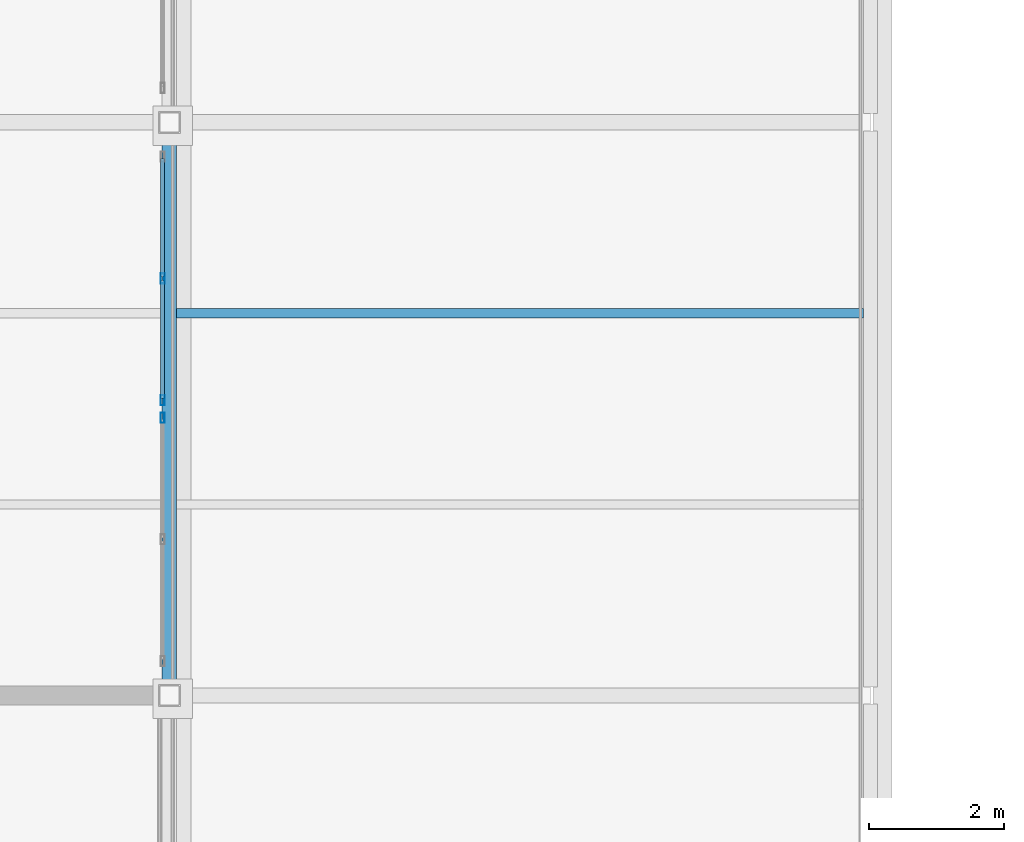
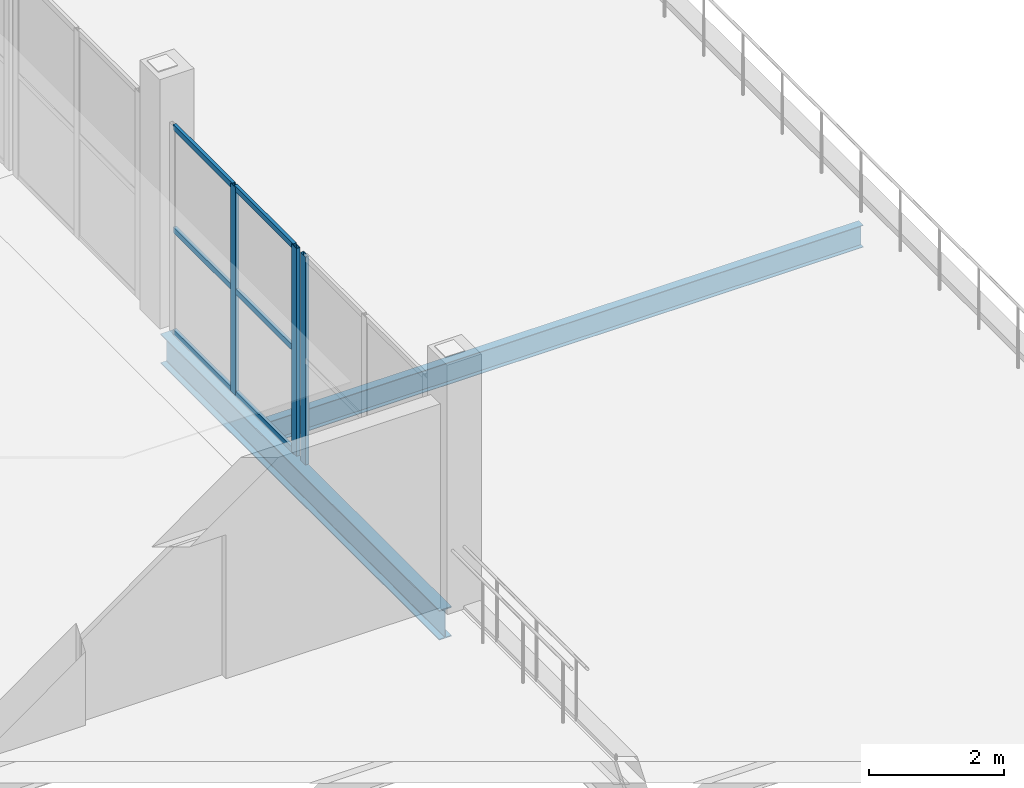
# One storey, part 63 of 156: 9 members, 2 beams, 2 elements without a shape of their own.
"""IFC4 building model written with IfcOpenShell, lengths in metres."""

import ifcopenshell
import ifcopenshell.guid

model = None  # the IFC model being written
_history = None  # IfcOwnerHistory: only IFC2X3 demands one
_inside = {}  # id of a spatial element -> (the spatial element, [elements in it])
_under = {}  # id of a project, library or spatial element -> (it, [spatial elements below it])
_declared = {}  # id of a project -> (the project, [libraries it declares])
_typed = {}  # id of a type object -> (the type object, [elements of that type])
_made_of = {}  # id of a material, layer set ... -> (it, [elements and type objects made of it])


def new_model(schema):
    """Start an empty IFC model of exactly this schema.

    Asked for "IFC4X3", IfcOpenShell would pick the latest addendum, in which some entities
    have other attributes; the version numbers below select the first issue.
    IFC2X3 requires an IfcOwnerHistory on every rooted entity: one is made here for all.
    """
    global model, _history
    if schema == "IFC4X3":
        model = ifcopenshell.file(schema_version=(4, 3, 0, 0))
    else:
        model = ifcopenshell.file(schema=schema)
    _inside.clear()
    _under.clear()
    _declared.clear()
    _typed.clear()
    _made_of.clear()
    _history = None
    if model.schema == "IFC2X3":
        org = make("IfcOrganization", Name="unknown")
        user = make(
            "IfcPersonAndOrganization",
            ThePerson=make("IfcPerson", FamilyName="unknown"),
            TheOrganization=org,
        )
        app = make(
            "IfcApplication",
            ApplicationDeveloper=org,
            Version="unknown",
            ApplicationFullName="unknown",
            ApplicationIdentifier="unknown",
        )
        _history = make(
            "IfcOwnerHistory",
            OwningUser=user,
            OwningApplication=app,
            ChangeAction="ADDED",
            CreationDate=0,
        )
    return model


def make(cls, **values):
    """One entity of the class cls with the attributes given. An attribute that is None is left unset."""
    return model.create_entity(
        cls, **{name: value for name, value in values.items() if value is not None}
    )


def rooted(cls, **values):
    """An entity with a GlobalId (a new one), such as an element, a storey or a relation."""
    return make(cls, GlobalId=ifcopenshell.guid.new(), OwnerHistory=_history, **values)


def si_unit(unit_type, name, prefix=None):
    """IfcSIUnit, for example si_unit("LENGTHUNIT", "METRE", prefix="MILLI")."""
    return make("IfcSIUnit", UnitType=unit_type, Prefix=prefix, Name=name)


def assignment(units):
    """IfcUnitAssignment: the units of a project."""
    return None if units is None else make("IfcUnitAssignment", Units=units)


def point(xyz):
    """IfcCartesianPoint."""
    return None if xyz is None else make("IfcCartesianPoint", Coordinates=xyz)


def direction(xyz):
    """IfcDirection."""
    return None if xyz is None else make("IfcDirection", DirectionRatios=xyz)


def frame(location, z_axis=None, x_axis=None):
    """IfcAxis2Placement3D, a coordinate frame: its origin and axes. An axis left out is left unset."""
    return make(
        "IfcAxis2Placement3D",
        Location=point(location),
        Axis=direction(z_axis),
        RefDirection=direction(x_axis),
    )


def frame_2d(location, x_axis=None):
    """IfcAxis2Placement2D, a coordinate frame in the plane: its origin and x axis."""
    return make(
        "IfcAxis2Placement2D", Location=point(location), RefDirection=direction(x_axis)
    )


def origin():
    """The frame at (0, 0, 0) with its axes left unset."""
    return frame((0.0, 0.0, 0.0))


def origin_2d():
    """The frame at (0, 0) in the plane with its x axis left unset."""
    return frame_2d((0.0, 0.0))


def place(relative_to, where):
    """IfcLocalPlacement: puts the frame where relative to a parent placement (None: the world)."""
    return make(
        "IfcLocalPlacement", PlacementRelTo=relative_to, RelativePlacement=where
    )


def context(
    kind, dimensions, precision=None, world=None, true_north=None, identifier=None
):
    """IfcGeometricRepresentationContext, for example the 3D "Model" context."""
    return make(
        "IfcGeometricRepresentationContext",
        ContextIdentifier=identifier,
        ContextType=kind,
        CoordinateSpaceDimension=dimensions,
        Precision=precision,
        WorldCoordinateSystem=world,
        TrueNorth=true_north,
    )


def subcontext(parent, identifier, kind, view, scale=None):
    """IfcGeometricRepresentationSubContext, for example "Body" below "Model"."""
    return make(
        "IfcGeometricRepresentationSubContext",
        ContextIdentifier=identifier,
        ContextType=kind,
        ParentContext=parent,
        TargetScale=scale,
        TargetView=view,
    )


def project(units=None, contexts=None):
    """IfcProject with its units and contexts."""
    return rooted(
        "IfcProject",
        Name="project",
        RepresentationContexts=contexts,
        UnitsInContext=assignment(units),
    )


def spatial(cls, under=None, at=None, **own):
    """A site, building, storey or space (cls), placed at a placement, below another one or the project."""
    s = rooted(cls, ObjectPlacement=at, **own)
    if under is not None:
        _under.setdefault(under.id(), (under, []))[1].append(s)
    return s


def profile(cls, at=None, kind="AREA", **sizes):
    """A parametric profile (cls). Its sizes go by their IFC names, for example OverallWidth=200.0."""
    return make(cls, ProfileType=kind, Position=at, **sizes)


def hollow_rectangle(**sizes):
    """IfcRectangleHollowProfileDef."""
    return profile("IfcRectangleHollowProfileDef", **sizes)


def i_section(**sizes):
    """IfcIShapeProfileDef."""
    return profile("IfcIShapeProfileDef", **sizes)


def extrude(swept, where, along, depth):
    """IfcExtrudedAreaSolid: the profile swept, set in the frame where, extruded along a direction by depth."""
    return make(
        "IfcExtrudedAreaSolid",
        SweptArea=swept,
        Position=where,
        ExtrudedDirection=direction(along),
        Depth=depth,
    )


def shape(context_of_items, identifier, shape_type, items):
    """IfcShapeRepresentation: the items that make up one representation, for example the "Body"."""
    return make(
        "IfcShapeRepresentation",
        ContextOfItems=context_of_items,
        RepresentationIdentifier=identifier,
        RepresentationType=shape_type,
        Items=items,
    )


def material(Name=None, Category=None):
    """IfcMaterial."""
    return make("IfcMaterial", Name=Name, Category=Category)


def material_profile(
    of_material, cross_section, Name=None, Category=None, Priority=None
):
    """IfcMaterialProfile: a cross section and its material."""
    return make(
        "IfcMaterialProfile",
        Name=Name,
        Material=of_material,
        Profile=cross_section,
        Priority=Priority,
        Category=Category,
    )


def profile_set(profiles, Name=None, composite=None):
    """IfcMaterialProfileSet."""
    return make(
        "IfcMaterialProfileSet",
        Name=Name,
        MaterialProfiles=profiles,
        CompositeProfile=composite,
    )


def made_of(thing, what):
    """Note that an element or type object is made of a material, layer set ...; save() writes the relation."""
    if what is not None:
        _made_of.setdefault(what.id(), (what, []))[1].append(thing)
    return thing


def type_object(cls, material=None, **own):
    """A type object (cls), such as IfcWallType, which elements share."""
    return made_of(rooted(cls, **own), material)


def element(
    cls,
    number,
    at=None,
    inside=None,
    cuts=None,
    type_object=None,
    material=None,
    context=None,
    identifier="Body",
    shape_type=None,
    held_by="IfcProductDefinitionShape",
    body=None,
    shapes=None,
    **own,
):
    """One element of the class cls, such as IfcWall. Its Tag is "e" and its number.

    at: its placement. inside: the storey or other place that contains it. cuts: it is an
    opening in that element (IfcRelVoidsElement). A single representation is given by context,
    identifier, shape_type and body (its items); several are given by shapes. held_by: the class
    of the entity that holds the representations. save() writes the other relations.
    """
    e = rooted(cls, Tag="e%d" % number, ObjectPlacement=at, **own)
    if body is not None:
        shapes = [shape(context, identifier, shape_type, body)]
    if shapes is not None:
        e.Representation = make(held_by, Representations=shapes)
    if inside is not None:
        _inside.setdefault(inside.id(), (inside, []))[1].append(e)
    if cuts is not None:
        rooted(
            "IfcRelVoidsElement", RelatingBuildingElement=cuts, RelatedOpeningElement=e
        )
    if type_object is not None:
        _typed.setdefault(type_object.id(), (type_object, []))[1].append(e)
    return made_of(e, material)


def aggregate(whole, parts):
    """IfcRelAggregates: a whole, such as a stair, and the parts it consists of."""
    return rooted("IfcRelAggregates", RelatingObject=whole, RelatedObjects=parts)


def save(model, path):
    """Write the relations noted so far, then the file.

    IfcRelAggregates (storeys below a building ...), IfcRelContainedInSpatialStructure (elements
    in a storey), IfcRelDefinesByType, IfcRelAssociatesMaterial and IfcRelDeclares: one each for
    every whole, place, type object, material and project.
    """
    for whole, parts in _under.values():
        aggregate(whole, parts)
    for where, things in _inside.values():
        rooted(
            "IfcRelContainedInSpatialStructure",
            RelatedElements=things,
            RelatingStructure=where,
        )
    for kind, things in _typed.values():
        rooted("IfcRelDefinesByType", RelatedObjects=things, RelatingType=kind)
    for what, things in _made_of.values():
        rooted("IfcRelAssociatesMaterial", RelatedObjects=things, RelatingMaterial=what)
    for by, libraries in _declared.values():
        rooted("IfcRelDeclares", RelatingContext=by, RelatedDefinitions=libraries)
    model.write(path)


model = new_model("IFC4")

# Units and contexts
model_context = context("Model", 3, precision=1e-05, world=origin(), true_north=direction((0.0, 1.0)))
body_context = subcontext(model_context, "Body", "Model", "MODEL_VIEW")
ifc_project = project(units=[si_unit("LENGTHUNIT", "METRE"), si_unit("AREAUNIT", "SQUARE_METRE"), si_unit("VOLUMEUNIT", "CUBIC_METRE"), si_unit("PLANEANGLEUNIT", "RADIAN"), si_unit("MASSUNIT", "GRAM", prefix="KILO")], contexts=[model_context])

# Site, building, storey
site_placement = place(None, origin())
site = spatial("IfcSite", under=ifc_project, at=site_placement, CompositionType="ELEMENT")
building_placement = place(site_placement, origin())
building = spatial("IfcBuilding", under=site, at=building_placement, Name="Caurita Quay Ferry Terminal", CompositionType="ELEMENT")
storey_placement = place(building_placement, frame((0.0, 0.0, 5.39990234375)))
storey = spatial("IfcBuildingStorey", under=building, at=storey_placement, Name="L01", CompositionType="ELEMENT", Elevation=5.39990234375)

# Beams
ifc_material_1 = material(Name="Structural steel ASTM A992 Gr. 50", Category="steel")
ifc_material_profile_1 = material_profile(ifc_material_1, i_section(OverallWidth=0.210693359375, OverallDepth=0.53857421875, WebThickness=0.01171875, FlangeThickness=0.018798828125, FilletRadius=0.013916015625, at=origin_2d()), Name="W21X73")
ifc_profile_set_1 = profile_set([ifc_material_profile_1], Name="Structural steel ASTM A992 Gr. 50")
beam_type_1 = type_object("IfcBeamType", Name="BM-GR-W21A", PredefinedType="BEAM", material=ifc_profile_set_1)
beam_1_placement = place(storey_placement, frame((142.800048828125, 8.62939453125, -0.529296875), z_axis=(0.0, 1.0, 0.0), x_axis=(-1.0, 0.0, 0.0)))
element("IfcBeam", 1, at=beam_1_placement, inside=storey, type_object=beam_type_1, Name="L01 Beam BM-V3P-L01-Y-1428-86", PredefinedType="BEAM", context=body_context, shape_type="SweptSolid", body=[
    extrude(i_section(OverallWidth=0.210693359375, OverallDepth=0.53857421875, WebThickness=0.01171875, FlangeThickness=0.018798828125, FilletRadius=0.013916015625, at=origin_2d()), origin(), (0.0, 0.0, 1.0), 8.2412109375),
])
ifc_material_profile_2 = material_profile(ifc_material_1, i_section(OverallWidth=0.139892578125, OverallDepth=0.39892578125, WebThickness=0.00634765625, FlangeThickness=0.0087890625, at=origin_2d()), Name="W16X26")
ifc_profile_set_2 = profile_set([ifc_material_profile_2], Name="Structural steel ASTM A992 Gr. 50")
beam_type_2 = type_object("IfcBeamType", Name="BM-JS-W16C", PredefinedType="JOIST", material=ifc_profile_set_2)
beam_2_placement = place(storey_placement, frame((142.905517578125, 14.166748046875, -0.45947265625), z_axis=(1.0, 0.0, 0.0), x_axis=(0.0, 1.0, 0.0)))
element("IfcBeam", 2, at=beam_2_placement, inside=storey, type_object=beam_type_2, Name="L01 Beam JS-V3P-L01-012", PredefinedType="JOIST", context=body_context, shape_type="SweptSolid", body=[
    extrude(i_section(OverallWidth=0.139892578125, OverallDepth=0.39892578125, WebThickness=0.00634765625, FlangeThickness=0.0087890625, at=origin_2d()), origin(), (0.0, 0.0, 1.0), 10.18896484375),
])

# Curtain wall, member
ifc_material_2 = material(Name="Laminated solar-control insulated glass", Category="glass")
curtain_wall_type = type_object("IfcCurtainWallType", Name="CW-SYS-15", PredefinedType="NOTDEFINED", material=ifc_material_2)
curtain_wall_1_placement = place(storey_placement, origin())
curtain_wall_1 = element("IfcCurtainWall", 3, at=curtain_wall_1_placement, inside=storey, type_object=curtain_wall_type, Name="Boarding Gangway Ribbon Curtain Wall 119", PredefinedType="NOTDEFINED")
ifc_material_3 = material(Name="Anodized aluminium 6063-T6", Category="aluminium")
ifc_material_profile_3 = material_profile(ifc_material_3, hollow_rectangle(XDim=0.06005859375, YDim=0.14990234375, WallThickness=0.00341796875, at=origin_2d()), Name="ALU-MUL-60X150")
ifc_profile_set_3 = profile_set([ifc_material_profile_3], Name="Anodized aluminium 6063-T6")
member_type_1 = type_object("IfcMemberType", Name="CW-MUL-150", PredefinedType="MULLION", material=ifc_profile_set_3)
member_1_placement = place(storey_placement, frame((142.699951171875, 12.6201171875, 0.0), z_axis=(0.0, 0.0, 1.0), x_axis=(-1.0, 0.0, 0.0)))
member_1 = element("IfcMember", 4, at=member_1_placement, type_object=member_type_1, Name="CW-BGW-119 Mullion 3", PredefinedType="MULLION", context=body_context, shape_type="SweptSolid", body=[
    extrude(hollow_rectangle(XDim=0.06005859375, YDim=0.14990234375, WallThickness=0.00341796875, at=origin_2d()), origin(), (0.0, 0.0, 1.0), 3.75),
])
aggregate(curtain_wall_1, [member_1])

# Curtain wall, members
curtain_wall_2_placement = place(storey_placement, origin())
curtain_wall_2 = element("IfcCurtainWall", 5, at=curtain_wall_2_placement, inside=storey, type_object=curtain_wall_type, Name="Boarding Gangway Ribbon Curtain Wall 120", PredefinedType="NOTDEFINED")
member_2_placement = place(storey_placement, frame((142.699951171875, 12.8798828125, 0.0), z_axis=(0.0, 0.0, 1.0), x_axis=(-1.0, 0.0, 0.0)))
member_2 = element("IfcMember", 6, at=member_2_placement, type_object=member_type_1, Name="CW-BGW-120 Mullion 1", PredefinedType="MULLION", context=body_context, shape_type="SweptSolid", body=[
    extrude(hollow_rectangle(XDim=0.06005859375, YDim=0.14990234375, WallThickness=0.00341796875, at=origin_2d()), origin(), (0.0, 0.0, 1.0), 3.75),
])
member_3_placement = place(storey_placement, frame((142.699951171875, 14.68505859375, 0.0), z_axis=(0.0, 0.0, 1.0), x_axis=(-1.0, 0.0, 0.0)))
member_3 = element("IfcMember", 7, at=member_3_placement, type_object=member_type_1, Name="CW-BGW-120 Mullion 2", PredefinedType="MULLION", context=body_context, shape_type="SweptSolid", body=[
    extrude(hollow_rectangle(XDim=0.06005859375, YDim=0.14990234375, WallThickness=0.00341796875, at=origin_2d()), origin(), (0.0, 0.0, 1.0), 3.75),
])
ifc_material_profile_4 = material_profile(ifc_material_3, hollow_rectangle(XDim=0.054931640625, YDim=0.10009765625, WallThickness=0.00341796875, at=origin_2d()), Name="ALU-TRN-55X100")
ifc_profile_set_4 = profile_set([ifc_material_profile_4], Name="Anodized aluminium 6063-T6")
member_type_2 = type_object("IfcMemberType", Name="CW-TRN-100", PredefinedType="USERDEFINED", material=ifc_profile_set_4)
member_4_placement = place(storey_placement, frame((142.699951171875, 12.907958984375, 0.027587890625), z_axis=(0.0, 1.0, 0.0), x_axis=(-1.0, 0.0, 0.0)))
member_4 = element("IfcMember", 8, at=member_4_placement, type_object=member_type_2, Name="CW-BGW-120 Transom 1", ObjectType="TRANSOM", PredefinedType="USERDEFINED", context=body_context, shape_type="SweptSolid", body=[
    extrude(hollow_rectangle(XDim=0.054931640625, YDim=0.10009765625, WallThickness=0.00341796875, at=origin_2d()), origin(), (0.0, 0.0, 1.0), 1.7490234375),
])
member_5_placement = place(storey_placement, frame((142.699951171875, 12.907958984375, 1.875), z_axis=(0.0, 1.0, 0.0), x_axis=(-1.0, 0.0, 0.0)))
member_5 = element("IfcMember", 9, at=member_5_placement, type_object=member_type_2, Name="CW-BGW-120 Transom 2", ObjectType="TRANSOM", PredefinedType="USERDEFINED", context=body_context, shape_type="SweptSolid", body=[
    extrude(hollow_rectangle(XDim=0.054931640625, YDim=0.10009765625, WallThickness=0.00341796875, at=origin_2d()), origin(), (0.0, 0.0, 1.0), 1.7490234375),
])
member_6_placement = place(storey_placement, frame((142.699951171875, 12.907958984375, 3.72265625), z_axis=(0.0, 1.0, 0.0), x_axis=(-1.0, 0.0, 0.0)))
member_6 = element("IfcMember", 10, at=member_6_placement, type_object=member_type_2, Name="CW-BGW-120 Transom 3", ObjectType="TRANSOM", PredefinedType="USERDEFINED", context=body_context, shape_type="SweptSolid", body=[
    extrude(hollow_rectangle(XDim=0.054931640625, YDim=0.10009765625, WallThickness=0.00341796875, at=origin_2d()), origin(), (0.0, 0.0, 1.0), 1.7490234375),
])
member_7_placement = place(storey_placement, frame((142.699951171875, 14.712890625, 0.027587890625), z_axis=(0.0, 1.0, 0.0), x_axis=(-1.0, 0.0, 0.0)))
member_7 = element("IfcMember", 11, at=member_7_placement, type_object=member_type_2, Name="CW-BGW-120 Transom 4", ObjectType="TRANSOM", PredefinedType="USERDEFINED", context=body_context, shape_type="SweptSolid", body=[
    extrude(hollow_rectangle(XDim=0.054931640625, YDim=0.10009765625, WallThickness=0.00341796875, at=origin_2d()), origin(), (0.0, 0.0, 1.0), 1.7490234375),
])
member_8_placement = place(storey_placement, frame((142.699951171875, 14.712890625, 1.875), z_axis=(0.0, 1.0, 0.0), x_axis=(-1.0, 0.0, 0.0)))
member_8 = element("IfcMember", 12, at=member_8_placement, type_object=member_type_2, Name="CW-BGW-120 Transom 5", ObjectType="TRANSOM", PredefinedType="USERDEFINED", context=body_context, shape_type="SweptSolid", body=[
    extrude(hollow_rectangle(XDim=0.054931640625, YDim=0.10009765625, WallThickness=0.00341796875, at=origin_2d()), origin(), (0.0, 0.0, 1.0), 1.7490234375),
])
member_9_placement = place(storey_placement, frame((142.699951171875, 14.712890625, 3.72265625), z_axis=(0.0, 1.0, 0.0), x_axis=(-1.0, 0.0, 0.0)))
member_9 = element("IfcMember", 13, at=member_9_placement, type_object=member_type_2, Name="CW-BGW-120 Transom 6", ObjectType="TRANSOM", PredefinedType="USERDEFINED", context=body_context, shape_type="SweptSolid", body=[
    extrude(hollow_rectangle(XDim=0.054931640625, YDim=0.10009765625, WallThickness=0.00341796875, at=origin_2d()), origin(), (0.0, 0.0, 1.0), 1.7490234375),
])
aggregate(curtain_wall_2, [member_2, member_3, member_4, member_5, member_6, member_7, member_8, member_9])

save(model, "model.ifc")
